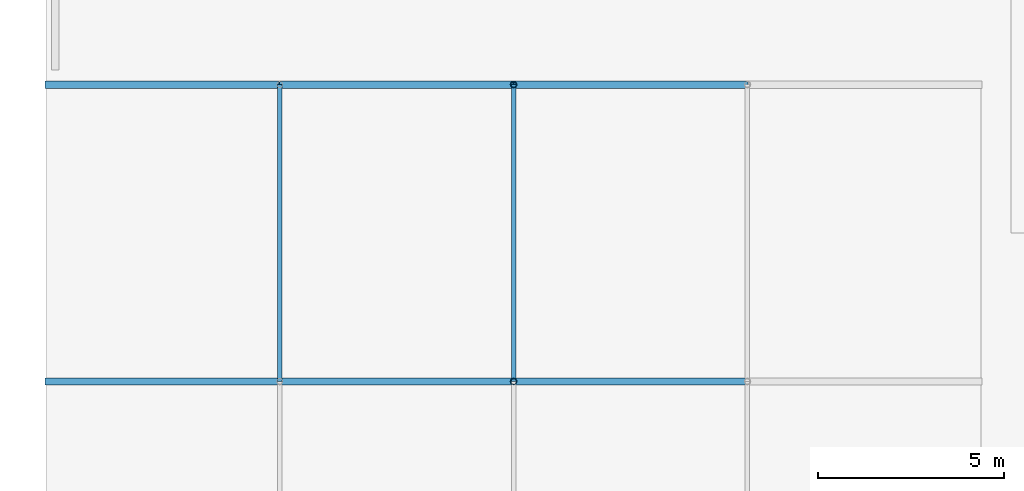
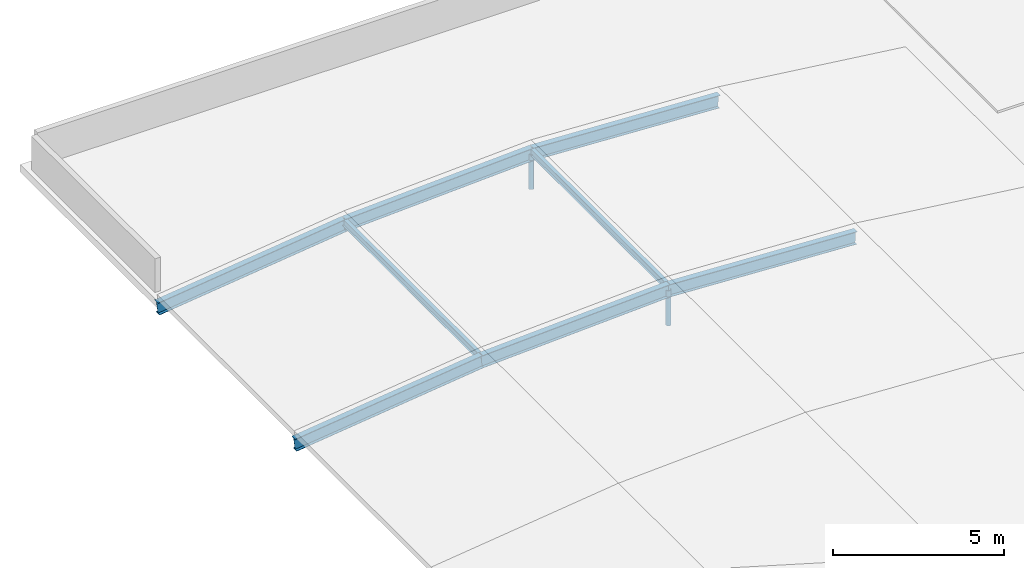
# One storey, part 30 of 76: 10 members.
"""IFC4 building model written with IfcOpenShell, lengths in metres."""

from ifc_helpers import new_model, si_unit, direction, frame, origin, origin_2d, place, context, subcontext, project, spatial, hollow_circle, i_section, extrude, material, material_profile, profile_set, type_object, element, save


model = new_model("IFC4")

# Units and contexts
model_context = context("Model", 3, precision=1e-05, world=origin(), true_north=direction((0.0, 1.0)))
body_context = subcontext(model_context, "Body", "Model", "MODEL_VIEW")
ifc_project = project(units=[si_unit("LENGTHUNIT", "METRE"), si_unit("AREAUNIT", "SQUARE_METRE"), si_unit("VOLUMEUNIT", "CUBIC_METRE"), si_unit("PLANEANGLEUNIT", "RADIAN"), si_unit("MASSUNIT", "GRAM", prefix="KILO")], contexts=[model_context])

# Site, building, storey
site_placement = place(None, origin())
site = spatial("IfcSite", under=ifc_project, at=site_placement, CompositionType="ELEMENT")
building_placement = place(site_placement, origin())
building = spatial("IfcBuilding", under=site, at=building_placement, Name="Naruveol Harbour Congress Hotel", CompositionType="ELEMENT")
storey_placement = place(building_placement, frame((0.0, 0.0, 11.39990234375)))
storey = spatial("IfcBuildingStorey", under=building, at=storey_placement, Name="L02", CompositionType="ELEMENT", Elevation=11.39990234375)

# Members
ifc_material_1 = material(Name="Steel SN490", Category="steel")
ifc_material_profile_1 = material_profile(ifc_material_1, i_section(OverallWidth=0.199951171875, OverallDepth=0.449951171875, WebThickness=0.009033203125, FlangeThickness=0.013916015625, at=origin_2d()), Name="H-450x200x9x14")
ifc_profile_set_1 = profile_set([ifc_material_profile_1], Name="Steel SN490")
member_type_1 = type_object("IfcMemberType", Name="STEEL BUTTERFLY CROWN RAFTER H450", PredefinedType="RAFTER", material=ifc_profile_set_1)
member_1_placement = place(storey_placement, frame((0.0, 96.0, -0.239990234375), z_axis=(0.992613260551, 0.0, 0.121321535508), x_axis=(0.0, 1.0, 0.0)))
element("IfcMember", 1, at=member_1_placement, inside=storey, type_object=member_type_1, Name="Spa vault arch rib #4.1", PredefinedType="RAFTER", context=body_context, shape_type="SweptSolid", body=[
    extrude(i_section(OverallWidth=0.199951171875, OverallDepth=0.449951171875, WebThickness=0.009033203125, FlangeThickness=0.013916015625, at=origin_2d()), origin(), (0.0, 0.0, 1.0), 6.346923828125),
])
member_2_placement = place(storey_placement, frame((6.300048828125, 96.0, 0.530029296875), z_axis=(0.998711964154, 0.0, 0.050738670219), x_axis=(0.0, 1.0, 0.0)))
element("IfcMember", 2, at=member_2_placement, inside=storey, type_object=member_type_1, Name="Spa vault arch rib #4.2", PredefinedType="RAFTER", context=body_context, shape_type="SweptSolid", body=[
    extrude(i_section(OverallWidth=0.199951171875, OverallDepth=0.449951171875, WebThickness=0.009033203125, FlangeThickness=0.013916015625, at=origin_2d()), origin(), (0.0, 0.0, 1.0), 6.30810546875),
])
member_3_placement = place(storey_placement, frame((12.60009765625, 96.0, 0.85009765625), z_axis=(0.998711864513, 0.0, -0.050740631467), x_axis=(0.0, 1.0, 0.0)))
element("IfcMember", 3, at=member_3_placement, inside=storey, type_object=member_type_1, Name="Spa vault arch rib #4.3", PredefinedType="RAFTER", context=body_context, shape_type="SweptSolid", body=[
    extrude(i_section(OverallWidth=0.199951171875, OverallDepth=0.449951171875, WebThickness=0.009033203125, FlangeThickness=0.013916015625, at=origin_2d()), origin(), (0.0, 0.0, 1.0), 6.307861328125),
])
member_4_placement = place(storey_placement, frame((0.0, 104.0, -0.239990234375), z_axis=(0.992613260551, 0.0, 0.121321535508), x_axis=(0.0, 1.0, 0.0)))
element("IfcMember", 4, at=member_4_placement, inside=storey, type_object=member_type_1, Name="Spa vault arch rib #5.1", PredefinedType="RAFTER", context=body_context, shape_type="SweptSolid", body=[
    extrude(i_section(OverallWidth=0.199951171875, OverallDepth=0.449951171875, WebThickness=0.009033203125, FlangeThickness=0.013916015625, at=origin_2d()), origin(), (0.0, 0.0, 1.0), 6.346923828125),
])
member_5_placement = place(storey_placement, frame((6.300048828125, 104.0, 0.530029296875), z_axis=(0.998711964154, 0.0, 0.050738670219), x_axis=(0.0, 1.0, 0.0)))
element("IfcMember", 5, at=member_5_placement, inside=storey, type_object=member_type_1, Name="Spa vault arch rib #5.2", PredefinedType="RAFTER", context=body_context, shape_type="SweptSolid", body=[
    extrude(i_section(OverallWidth=0.199951171875, OverallDepth=0.449951171875, WebThickness=0.009033203125, FlangeThickness=0.013916015625, at=origin_2d()), origin(), (0.0, 0.0, 1.0), 6.30810546875),
])
member_6_placement = place(storey_placement, frame((12.60009765625, 104.0, 0.85009765625), z_axis=(0.998711864513, 0.0, -0.050740631467), x_axis=(0.0, 1.0, 0.0)))
element("IfcMember", 6, at=member_6_placement, inside=storey, type_object=member_type_1, Name="Spa vault arch rib #5.3", PredefinedType="RAFTER", context=body_context, shape_type="SweptSolid", body=[
    extrude(i_section(OverallWidth=0.199951171875, OverallDepth=0.449951171875, WebThickness=0.009033203125, FlangeThickness=0.013916015625, at=origin_2d()), origin(), (0.0, 0.0, 1.0), 6.307861328125),
])
ifc_material_2 = material(Name="Steel SN490", Category="steel")
ifc_material_profile_2 = material_profile(ifc_material_2, hollow_circle(Radius=0.084228515625, WallThickness=0.008056640625, at=origin_2d()), Name="CHS-168.3x8")
ifc_profile_set_2 = profile_set([ifc_material_profile_2], Name="Steel SN490")
member_type_2 = type_object("IfcMemberType", Name="STEEL GABLE TRUSS WEB BRACE CHS168", PredefinedType="BRACE", material=ifc_profile_set_2)
for number, where, z_axis, x_axis, name in (
    (7, (12.60009765625, 96.0, -0.39990234375), (0.0, 0.0, 1.0), (1.0, 0.0, 0.0), "Spa vault crown web post #4"),
    (8, (12.60009765625, 104.0, -0.39990234375), (0.0, 0.0, 1.0), (1.0, 0.0, 0.0), "Spa vault crown web post #5"),
):
    element("IfcMember", number, at=place(storey_placement, frame(where, z_axis=z_axis, x_axis=x_axis)), inside=storey, type_object=member_type_2, Name=name, PredefinedType="BRACE", context=body_context, shape_type="SweptSolid", body=[
        extrude(hollow_circle(Radius=0.084228515625, WallThickness=0.008056640625, at=origin_2d()), origin(), (0.0, 0.0, 1.0), 1.25),
    ])
ifc_material_3 = material(Name="Steel SN490", Category="steel")
ifc_material_profile_3 = material_profile(ifc_material_3, i_section(OverallWidth=0.125, OverallDepth=0.25, WebThickness=0.006103515625, FlangeThickness=0.009033203125, at=origin_2d()), Name="H-250x125x6x9")
ifc_profile_set_3 = profile_set([ifc_material_profile_3], Name="Steel SN490")
member_type_3 = type_object("IfcMemberType", Name="STEEL ROOF PURLIN MEMBER H250", PredefinedType="PURLIN", material=ifc_profile_set_3)
for number, where, z_axis, x_axis, name in (
    (9, (6.300048828125, 96.0, 0.6201171875), (0.0, 1.0, 0.0), (-1.0, 0.0, 0.0), "Spa barrel vault purlin X=6.3"),
    (10, (12.60009765625, 96.0, 0.940185546875), (0.0, 1.0, 0.0), (-1.0, 0.0, 0.0), "Spa barrel vault purlin X=12.6"),
):
    element("IfcMember", number, at=place(storey_placement, frame(where, z_axis=z_axis, x_axis=x_axis)), inside=storey, type_object=member_type_3, Name=name, PredefinedType="PURLIN", context=body_context, shape_type="SweptSolid", body=[
        extrude(i_section(OverallWidth=0.125, OverallDepth=0.25, WebThickness=0.006103515625, FlangeThickness=0.009033203125, at=origin_2d()), origin(), (0.0, 0.0, 1.0), 8.0),
    ])

save(model, "model.ifc")
